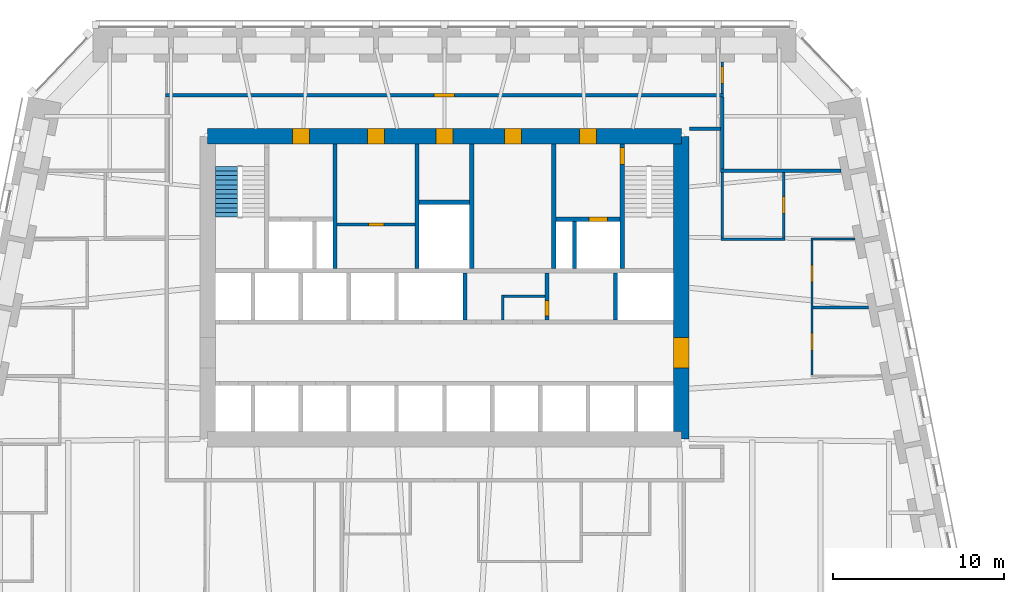
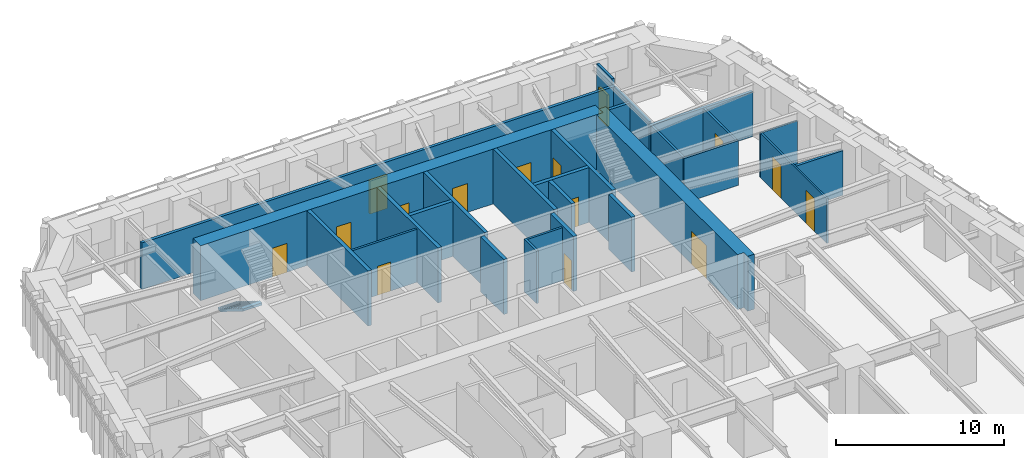
# One storey, part 13 of 16: 27 walls, 15 doors, 1 stair flight, 15 openings, 1 element without a shape of its own.
"""IFC4 building model written with IfcOpenShell, lengths in metres."""

from ifc_helpers import new_model, si_unit, direction, frame, frame_2d, origin, place, context, subcontext, project, spatial, polyline, rectangle, outline, extrude, material, layer, layer_set, type_object, element, fill, aggregate, save


model = new_model("IFC4")

# Units and contexts
model_context = context("Model", 3, precision=1e-05, world=origin(), true_north=direction((0.0, 1.0)))
body_context = subcontext(model_context, "Body", "Model", "MODEL_VIEW")
ifc_project = project(units=[si_unit("LENGTHUNIT", "METRE"), si_unit("AREAUNIT", "SQUARE_METRE"), si_unit("VOLUMEUNIT", "CUBIC_METRE"), si_unit("PLANEANGLEUNIT", "RADIAN"), si_unit("MASSUNIT", "GRAM", prefix="KILO")], contexts=[model_context])

# Site, building, storey
site_placement = place(None, origin())
site = spatial("IfcSite", under=ifc_project, at=site_placement, CompositionType="ELEMENT")
building_placement = place(site_placement, origin())
building = spatial("IfcBuilding", under=site, at=building_placement, Name="Isbrekke Arena Tower", CompositionType="ELEMENT")
storey_placement = place(building_placement, frame((0.0, 0.0, 52.0)))
storey = spatial("IfcBuildingStorey", under=building, at=storey_placement, Name="L10", CompositionType="ELEMENT", Elevation=52.0)

# Wall, opening, door
ifc_material_1 = material(Name="Concrete B65 (C65/80)", Category="concrete")
ifc_layer_1 = layer(ifc_material_1, 0.89990234375)
ifc_layer_set_1 = layer_set([ifc_layer_1], Name="CW2 CORE WALL 900")
wall_type_1 = type_object("IfcWallType", Name="CW2 CORE WALL 900", PredefinedType="SHEAR", material=ifc_layer_set_1)
wall_1_placement = place(storey_placement, frame((13.85009765625, 6.14990234375, 0.0), z_axis=(0.0, 0.0, 1.0), x_axis=(0.0, 1.0, 0.0)))
wall_1 = element("IfcWall", 1, at=wall_1_placement, inside=storey, type_object=wall_type_1, Name="Core wall E L10", PredefinedType="SHEAR", context=body_context, shape_type="SweptSolid", body=[
    extrude(outline(polyline([(0.0, -0.449951171875), (17.7001953125, -0.449951171875), (17.7001953125, 0.0), (17.250244140625, 0.0), (17.250244140625, 0.449951171875), (0.449951171875, 0.449951171875), (0.449951171875, 0.0), (0.0, 0.0), (0.0, -0.449951171875)])), origin(), (0.0, 0.0, 1.0), 4.0),
])
opening_1_placement = place(wall_1_placement, frame((4.14990234375, 0.0, 0.0)))
opening_1 = element("IfcOpeningElement", 2, at=opening_1_placement, cuts=wall_1, Name="Opening D1", PredefinedType="OPENING", context=body_context, shape_type="SweptSolid", body=[
    extrude(rectangle(XDim=1.800048828125, YDim=2.39990234375, at=frame_2d((0.89990234375, 1.199951171875))), frame((0.0, 0.46484375, 0.0), z_axis=(0.0, -1.0, 0.0), x_axis=(1.0, 0.0, 0.0)), (0.0, 0.0, 1.0), 0.9296875),
])
ifc_material_2 = material(Name="Steel-framed glazed fire door", Category="steel")
door_type_1 = type_object("IfcDoorType", Name="D1 CORE LOBBY DOOR 1800 x 2400", OperationType="DOUBLE_DOOR_SINGLE_SWING", PredefinedType="DOOR", material=ifc_material_2)
door_1_placement = place(opening_1_placement, origin())
door_1 = element("IfcDoor", 3, at=door_1_placement, inside=storey, type_object=door_type_1, Name="D1 lift lobby door east L10", OperationType="DOUBLE_DOOR_SINGLE_SWING", OverallHeight=2.39990234375, OverallWidth=1.800048828125, PredefinedType="DOOR", context=body_context, shape_type="SweptSolid", body=[
    extrude(rectangle(XDim=1.800048828125, YDim=2.39990234375, at=frame_2d((0.89990234375, 1.199951171875))), frame((0.0, 0.44970703125, 0.0), z_axis=(0.0, -1.0, 0.0), x_axis=(1.0, 0.0, 0.0)), (0.0, 0.0, 1.0), 0.8994140625),
])
fill(opening_1, door_1)

# Wall, openings, doors
wall_2_placement = place(storey_placement, frame((13.85009765625, 23.85009765625, 0.0), z_axis=(0.0, 0.0, 1.0), x_axis=(-1.0, 0.0, 0.0)))
wall_2 = element("IfcWall", 4, at=wall_2_placement, inside=storey, type_object=wall_type_1, Name="Core wall N L10", PredefinedType="SHEAR", context=body_context, shape_type="SweptSolid", body=[
    extrude(rectangle(XDim=27.7001953125, YDim=0.89990234375, at=frame_2d((13.85009765625, 0.0))), origin(), (0.0, 0.0, 1.0), 4.0),
])
opening_2_placement = place(wall_2_placement, frame((21.75, 0.0, 0.0)))
opening_2 = element("IfcOpeningElement", 5, at=opening_2_placement, cuts=wall_2, Name="Opening D3", PredefinedType="OPENING", context=body_context, shape_type="SweptSolid", body=[
    extrude(rectangle(XDim=1.0, YDim=2.10009765625, at=frame_2d((0.5, 1.050048828125))), frame((0.0, 0.46484375, 0.0), z_axis=(0.0, -1.0, 0.0), x_axis=(1.0, 0.0, 0.0)), (0.0, 0.0, 1.0), 0.9296875),
])
opening_3_placement = place(wall_2_placement, frame((4.949951171875, 0.0, 0.0)))
opening_3 = element("IfcOpeningElement", 6, at=opening_3_placement, cuts=wall_2, Name="Opening D3", PredefinedType="OPENING", context=body_context, shape_type="SweptSolid", body=[
    extrude(rectangle(XDim=1.0, YDim=2.10009765625, at=frame_2d((0.5, 1.050048828125))), frame((0.0, 0.46484375, 0.0), z_axis=(0.0, -1.0, 0.0), x_axis=(1.0, 0.0, 0.0)), (0.0, 0.0, 1.0), 0.9296875),
])
opening_4_placement = place(wall_2_placement, frame((17.35009765625, 0.0, 0.0)))
opening_4 = element("IfcOpeningElement", 7, at=opening_4_placement, cuts=wall_2, Name="Opening D4", PredefinedType="OPENING", context=body_context, shape_type="SweptSolid", body=[
    extrude(rectangle(XDim=1.0, YDim=2.10009765625, at=frame_2d((0.5, 1.050048828125))), frame((0.0, 0.46484375, 0.0), z_axis=(0.0, -1.0, 0.0), x_axis=(1.0, 0.0, 0.0)), (0.0, 0.0, 1.0), 0.9296875),
])
opening_5_placement = place(wall_2_placement, frame((13.35009765625, 0.0, 0.0)))
opening_5 = element("IfcOpeningElement", 8, at=opening_5_placement, cuts=wall_2, Name="Opening D4", PredefinedType="OPENING", context=body_context, shape_type="SweptSolid", body=[
    extrude(rectangle(XDim=1.0, YDim=2.10009765625, at=frame_2d((0.5, 1.050048828125))), frame((0.0, 0.46484375, 0.0), z_axis=(0.0, -1.0, 0.0), x_axis=(1.0, 0.0, 0.0)), (0.0, 0.0, 1.0), 0.9296875),
])
opening_6_placement = place(wall_2_placement, frame((9.35009765625, 0.0, 0.0)))
opening_6 = element("IfcOpeningElement", 9, at=opening_6_placement, cuts=wall_2, Name="Opening D4", PredefinedType="OPENING", context=body_context, shape_type="SweptSolid", body=[
    extrude(rectangle(XDim=1.0, YDim=2.10009765625, at=frame_2d((0.5, 1.050048828125))), frame((0.0, 0.46484375, 0.0), z_axis=(0.0, -1.0, 0.0), x_axis=(1.0, 0.0, 0.0)), (0.0, 0.0, 1.0), 0.9296875),
])
ifc_material_3 = material(Name="Steel fire door", Category="steel")
door_type_2 = type_object("IfcDoorType", Name="D3 FIRE LOBBY DOOR 1000 x 2100", OperationType="SINGLE_SWING_RIGHT", PredefinedType="DOOR", material=ifc_material_3)
door_2_placement = place(opening_2_placement, origin())
door_2 = element("IfcDoor", 10, at=door_2_placement, inside=storey, type_object=door_type_2, Name="D3 fire-fighting lobby door L10", OperationType="SINGLE_SWING_RIGHT", OverallHeight=2.10009765625, OverallWidth=1.0, PredefinedType="DOOR", context=body_context, shape_type="SweptSolid", body=[
    extrude(rectangle(XDim=1.0, YDim=2.10009765625, at=frame_2d((0.5, 1.050048828125))), frame((0.0, 0.44970703125, 0.0), z_axis=(0.0, -1.0, 0.0), x_axis=(1.0, 0.0, 0.0)), (0.0, 0.0, 1.0), 0.8994140625),
])
fill(opening_2, door_2)
door_3_placement = place(opening_3_placement, origin())
door_3 = element("IfcDoor", 11, at=door_3_placement, inside=storey, type_object=door_type_2, Name="D3 fire-fighting lobby door L10", OperationType="SINGLE_SWING_RIGHT", OverallHeight=2.10009765625, OverallWidth=1.0, PredefinedType="DOOR", context=body_context, shape_type="SweptSolid", body=[
    extrude(rectangle(XDim=1.0, YDim=2.10009765625, at=frame_2d((0.5, 1.050048828125))), frame((0.0, 0.44970703125, 0.0), z_axis=(0.0, -1.0, 0.0), x_axis=(1.0, 0.0, 0.0)), (0.0, 0.0, 1.0), 0.8994140625),
])
fill(opening_3, door_3)
ifc_material_4 = material(Name="Timber door", Category="wood")
door_type_3 = type_object("IfcDoorType", Name="D4 WC DOOR 1000 x 2100", OperationType="SINGLE_SWING_LEFT", PredefinedType="DOOR", material=ifc_material_4)
door_4_placement = place(opening_4_placement, origin())
door_4 = element("IfcDoor", 12, at=door_4_placement, inside=storey, type_object=door_type_3, Name="D4 wc female door L10", OperationType="SINGLE_SWING_LEFT", OverallHeight=2.10009765625, OverallWidth=1.0, PredefinedType="DOOR", context=body_context, shape_type="SweptSolid", body=[
    extrude(rectangle(XDim=1.0, YDim=2.10009765625, at=frame_2d((0.5, 1.050048828125))), frame((0.0, 0.44970703125, 0.0), z_axis=(0.0, -1.0, 0.0), x_axis=(1.0, 0.0, 0.0)), (0.0, 0.0, 1.0), 0.8994140625),
])
fill(opening_4, door_4)
door_5_placement = place(opening_5_placement, origin())
door_5 = element("IfcDoor", 13, at=door_5_placement, inside=storey, type_object=door_type_3, Name="D4 accessible wc door L10", OperationType="SINGLE_SWING_LEFT", OverallHeight=2.10009765625, OverallWidth=1.0, PredefinedType="DOOR", context=body_context, shape_type="SweptSolid", body=[
    extrude(rectangle(XDim=1.0, YDim=2.10009765625, at=frame_2d((0.5, 1.050048828125))), frame((0.0, 0.44970703125, 0.0), z_axis=(0.0, -1.0, 0.0), x_axis=(1.0, 0.0, 0.0)), (0.0, 0.0, 1.0), 0.8994140625),
])
fill(opening_5, door_5)
door_6_placement = place(opening_6_placement, origin())
door_6 = element("IfcDoor", 14, at=door_6_placement, inside=storey, type_object=door_type_3, Name="D4 wc male door L10", OperationType="SINGLE_SWING_LEFT", OverallHeight=2.10009765625, OverallWidth=1.0, PredefinedType="DOOR", context=body_context, shape_type="SweptSolid", body=[
    extrude(rectangle(XDim=1.0, YDim=2.10009765625, at=frame_2d((0.5, 1.050048828125))), frame((0.0, 0.44970703125, 0.0), z_axis=(0.0, -1.0, 0.0), x_axis=(1.0, 0.0, 0.0)), (0.0, 0.0, 1.0), 0.8994140625),
])
fill(opening_6, door_6)

# Wall
ifc_material_5 = material(Name="Concrete B45 (C45/55)", Category="concrete")
ifc_layer_2 = layer(ifc_material_5, 0.25)
ifc_layer_set_2 = layer_set([ifc_layer_2], Name="CW6 SHAFT WALL 250")
wall_type_2 = type_object("IfcWallType", Name="CW6 SHAFT WALL 250", PredefinedType="SHEAR", material=ifc_layer_set_2)
wall_3_placement = place(storey_placement, frame((1.199951171875, 13.125, 0.0), z_axis=(0.0, 0.0, 1.0), x_axis=(0.0, 1.0, 0.0)))
element("IfcWall", 15, at=wall_3_placement, inside=storey, type_object=wall_type_2, Name="Core wall SN05 L10", PredefinedType="SHEAR", context=body_context, shape_type="SweptSolid", body=[
    extrude(rectangle(XDim=2.75, YDim=0.25, at=frame_2d((1.375, 0.0))), origin(), (0.0, 0.0, 1.0), 4.0),
])

# Wall, opening, door
wall_4_placement = place(storey_placement, frame((6.0, 13.125, 0.0), z_axis=(0.0, 0.0, 1.0), x_axis=(0.0, 1.0, 0.0)))
wall_4 = element("IfcWall", 16, at=wall_4_placement, inside=storey, type_object=wall_type_2, Name="Core wall SN06 L10", PredefinedType="SHEAR", context=body_context, shape_type="SweptSolid", body=[
    extrude(rectangle(XDim=2.75, YDim=0.25, at=frame_2d((1.375, 0.0))), origin(), (0.0, 0.0, 1.0), 4.0),
])
opening_7_placement = place(wall_4_placement, frame((0.22509765625, 0.0, 0.0)))
opening_7 = element("IfcOpeningElement", 17, at=opening_7_placement, cuts=wall_4, Name="Opening D5", PredefinedType="OPENING", context=body_context, shape_type="SweptSolid", body=[
    extrude(rectangle(XDim=0.89990234375, YDim=2.10009765625, at=frame_2d((0.449951171875, 1.050048828125))), frame((0.0, 0.139892578125, 0.0), z_axis=(0.0, -1.0, 0.0), x_axis=(1.0, 0.0, 0.0)), (0.0, 0.0, 1.0), 0.27978515625),
])
ifc_material_6 = material(Name="Steel fire door", Category="steel")
door_type_4 = type_object("IfcDoorType", Name="D5 SERVICE DOOR 900 x 2100", OperationType="SINGLE_SWING_LEFT", PredefinedType="DOOR", material=ifc_material_6)
door_7_placement = place(opening_7_placement, frame((0.89990234375, 0.0, 0.0), z_axis=(0.0, 0.0, 1.0), x_axis=(-1.0, 0.0, 0.0)))
door_7 = element("IfcDoor", 18, at=door_7_placement, inside=storey, type_object=door_type_4, Name="D5 store door L10", OperationType="SINGLE_SWING_LEFT", OverallHeight=2.10009765625, OverallWidth=0.89990234375, PredefinedType="DOOR", context=body_context, shape_type="SweptSolid", body=[
    extrude(rectangle(XDim=0.89990234375, YDim=2.10009765625, at=frame_2d((0.449951171875, 1.050048828125))), frame((0.0, 0.124755859375, 0.0), z_axis=(0.0, -1.0, 0.0), x_axis=(1.0, 0.0, 0.0)), (0.0, 0.0, 1.0), 0.24951171875),
])
fill(opening_7, door_7)

# Walls
wall_5_placement = place(storey_placement, frame((10.0, 13.125, 0.0), z_axis=(0.0, 0.0, 1.0), x_axis=(0.0, 1.0, 0.0)))
element("IfcWall", 19, at=wall_5_placement, inside=storey, type_object=wall_type_2, Name="Core wall SN07 L10", PredefinedType="SHEAR", context=body_context, shape_type="SweptSolid", body=[
    extrude(rectangle(XDim=2.75, YDim=0.25, at=frame_2d((1.375, 0.0))), origin(), (0.0, 0.0, 1.0), 4.0),
])
for number, where, z_axis, x_axis, name in (
    (20, (-6.39990234375, 16.125, 0.0), (0.0, 0.0, 1.0), (0.0, 1.0, 0.0), "Core wall NV02 L10"),
    (21, (-1.60009765625, 16.125, 0.0), (0.0, 0.0, 1.0), (0.0, 1.0, 0.0), "Core wall NV03 L10"),
    (22, (1.60009765625, 16.125, 0.0), (0.0, 0.0, 1.0), (0.0, 1.0, 0.0), "Core wall NV04 L10"),
    (23, (6.39990234375, 16.125, 0.0), (0.0, 0.0, 1.0), (0.0, 1.0, 0.0), "Core wall NV05 L10"),
):
    element("IfcWall", number, at=place(storey_placement, frame(where, z_axis=z_axis, x_axis=x_axis)), inside=storey, type_object=wall_type_2, Name=name, PredefinedType="SHEAR", context=body_context, shape_type="SweptSolid", body=[
        extrude(rectangle(XDim=7.27490234375, YDim=0.25, at=frame_2d((3.637451171875, 0.0))), origin(), (0.0, 0.0, 1.0), 4.0),
    ])

# Wall, opening, door
wall_6_placement = place(storey_placement, frame((10.39990234375, 16.125, 0.0), z_axis=(0.0, 0.0, 1.0), x_axis=(0.0, 1.0, 0.0)))
wall_6 = element("IfcWall", 24, at=wall_6_placement, inside=storey, type_object=wall_type_2, Name="Core wall NV06 L10", PredefinedType="SHEAR", context=body_context, shape_type="SweptSolid", body=[
    extrude(rectangle(XDim=7.27490234375, YDim=0.25, at=frame_2d((3.637451171875, 0.0))), origin(), (0.0, 0.0, 1.0), 4.0),
])
opening_8_placement = place(wall_6_placement, frame((6.074951171875, 0.0, 0.0)))
opening_8 = element("IfcOpeningElement", 25, at=opening_8_placement, cuts=wall_6, Name="Opening D2", PredefinedType="OPENING", context=body_context, shape_type="SweptSolid", body=[
    extrude(rectangle(XDim=1.0, YDim=2.10009765625, at=frame_2d((0.5, 1.050048828125))), frame((0.0, 0.139892578125, 0.0), z_axis=(0.0, -1.0, 0.0), x_axis=(1.0, 0.0, 0.0)), (0.0, 0.0, 1.0), 0.27978515625),
])
ifc_material_7 = material(Name="Steel fire door", Category="steel")
door_type_5 = type_object("IfcDoorType", Name="D2 STAIR DOOR 1000 x 2100", OperationType="SINGLE_SWING_LEFT", PredefinedType="DOOR", material=ifc_material_7)
door_8_placement = place(opening_8_placement, origin())
door_8 = element("IfcDoor", 26, at=door_8_placement, inside=storey, type_object=door_type_5, Name="D2 stair door ST2 L10", OperationType="SINGLE_SWING_LEFT", OverallHeight=2.10009765625, OverallWidth=1.0, PredefinedType="DOOR", context=body_context, shape_type="SweptSolid", body=[
    extrude(rectangle(XDim=1.0, YDim=2.10009765625, at=frame_2d((0.5, 1.050048828125))), frame((0.0, 0.124755859375, 0.0), z_axis=(0.0, -1.0, 0.0), x_axis=(1.0, 0.0, 0.0)), (0.0, 0.0, 1.0), 0.24951171875),
])
fill(opening_8, door_8)

wall_7_placement = place(storey_placement, frame((6.52490234375, 19.0, 0.0), z_axis=(0.0, 0.0, 1.0), x_axis=(1.0, 0.0, 0.0)))
wall_7 = element("IfcWall", 27, at=wall_7_placement, inside=storey, type_object=wall_type_2, Name="Core wall NFE L10", PredefinedType="SHEAR", context=body_context, shape_type="SweptSolid", body=[
    extrude(rectangle(XDim=3.75, YDim=0.25, at=frame_2d((1.875, 0.0))), origin(), (0.0, 0.0, 1.0), 4.0),
])
opening_9_placement = place(wall_7_placement, frame((1.925048828125, 0.0, 0.0)))
opening_9 = element("IfcOpeningElement", 28, at=opening_9_placement, cuts=wall_7, Name="Opening LD2", PredefinedType="OPENING", context=body_context, shape_type="SweptSolid", body=[
    extrude(rectangle(XDim=1.10009765625, YDim=2.10009765625, at=frame_2d((0.550048828125, 1.050048828125))), frame((0.0, 0.139892578125, 0.0), z_axis=(0.0, -1.0, 0.0), x_axis=(1.0, 0.0, 0.0)), (0.0, 0.0, 1.0), 0.27978515625),
])
ifc_material_8 = material(Name="Stainless steel lift landing door", Category="steel")
door_type_6 = type_object("IfcDoorType", Name="LD2 FIRE-FIGHTING LIFT LANDING DOOR 1100 x 2100", OperationType="SLIDING_TO_RIGHT", PredefinedType="DOOR", material=ifc_material_8)
door_9_placement = place(opening_9_placement, origin())
door_9 = element("IfcDoor", 29, at=door_9_placement, inside=storey, type_object=door_type_6, Name="LD2 lift landing door LF L10", OperationType="SLIDING_TO_RIGHT", OverallHeight=2.10009765625, OverallWidth=1.10009765625, PredefinedType="DOOR", context=body_context, shape_type="SweptSolid", body=[
    extrude(rectangle(XDim=1.10009765625, YDim=2.10009765625, at=frame_2d((0.550048828125, 1.050048828125))), frame((0.0, 0.124755859375, 0.0), z_axis=(0.0, -1.0, 0.0), x_axis=(1.0, 0.0, 0.0)), (0.0, 0.0, 1.0), 0.24951171875),
])
fill(opening_9, door_9)

# Walls
wall_8_placement = place(storey_placement, frame((7.60009765625, 16.125, 0.0), z_axis=(0.0, 0.0, 1.0), x_axis=(0.0, 1.0, 0.0)))
element("IfcWall", 30, at=wall_8_placement, inside=storey, type_object=wall_type_2, Name="Core wall NFS2 L10", PredefinedType="SHEAR", context=body_context, shape_type="SweptSolid", body=[
    extrude(rectangle(XDim=2.75, YDim=0.25, at=frame_2d((1.375, 0.0))), origin(), (0.0, 0.0, 1.0), 4.0),
])
wall_9_placement = place(storey_placement, frame((-1.47509765625, 20.0, 0.0), z_axis=(0.0, 0.0, 1.0), x_axis=(1.0, 0.0, 0.0)))
element("IfcWall", 31, at=wall_9_placement, inside=storey, type_object=wall_type_2, Name="Core wall NWC L10", PredefinedType="SHEAR", context=body_context, shape_type="SweptSolid", body=[
    extrude(rectangle(XDim=2.9501953125, YDim=0.25, at=frame_2d((1.47509765625, 0.0))), origin(), (0.0, 0.0, 1.0), 4.0),
])
ifc_material_9 = material(Name="Gypsum board partition on steel studs", Category="steel")
ifc_layer_3 = layer(ifc_material_9, 0.14990234375)
ifc_layer_set_3 = layer_set([ifc_layer_3], Name="IW1 PARTITION 150")
wall_type_3 = type_object("IfcWallType", Name="IW1 PARTITION 150", PredefinedType="PARTITIONING", material=ifc_layer_set_3)
wall_10_placement = place(storey_placement, frame((16.175048828125, 17.840087890625, 0.0), z_axis=(0.0, 0.0, 1.0), x_axis=(1.0, 0.0, 0.0)))
element("IfcWall", 32, at=wall_10_placement, inside=storey, type_object=wall_type_3, Name="IW1 partition 150 L10", PredefinedType="PARTITIONING", context=body_context, shape_type="SweptSolid", body=[
    extrude(rectangle(XDim=3.75, YDim=0.14990234375, at=frame_2d((1.875, 0.0))), origin(), (0.0, 0.0, 1.0), 3.25),
])
wall_11_placement = place(storey_placement, frame((16.25, 17.9150390625, 0.0), z_axis=(0.0, 0.0, 1.0), x_axis=(0.0, 1.0, 0.0)))
element("IfcWall", 33, at=wall_11_placement, inside=storey, type_object=wall_type_3, Name="IW1 partition 150 L10", PredefinedType="PARTITIONING", context=body_context, shape_type="SweptSolid", body=[
    extrude(rectangle(XDim=3.824951171875, YDim=0.14990234375, at=frame_2d((1.91259765625, 0.0))), origin(), (0.0, 0.0, 1.0), 3.25),
])

# Wall, opening, door
wall_12_placement = place(storey_placement, frame((16.25, 26.35009765625, 0.0), z_axis=(0.0, 0.0, 1.0), x_axis=(0.0, 1.0, 0.0)))
wall_12 = element("IfcWall", 34, at=wall_12_placement, inside=storey, type_object=wall_type_3, Name="IW1 partition 150 L10", PredefinedType="PARTITIONING", context=body_context, shape_type="SweptSolid", body=[
    extrude(rectangle(XDim=1.849853515625, YDim=0.14990234375, at=frame_2d((0.9248046875, 0.0))), origin(), (0.0, 0.0, 1.0), 3.85009765625),
])
opening_10_placement = place(wall_12_placement, frame((0.60009765625, 0.0, 0.0)))
opening_10 = element("IfcOpeningElement", 35, at=opening_10_placement, cuts=wall_12, Name="Opening D10", PredefinedType="OPENING", context=body_context, shape_type="SweptSolid", body=[
    extrude(rectangle(XDim=1.0, YDim=2.300048828125, at=frame_2d((0.5, 1.14990234375))), frame((0.0, 0.08984375, 0.0), z_axis=(0.0, -1.0, 0.0), x_axis=(1.0, 0.0, 0.0)), (0.0, 0.0, 1.0), 0.1796875),
])
ifc_material_10 = material(Name="Timber door", Category="wood")
door_type_7 = type_object("IfcDoorType", Name="D10 OFFICE DOOR 1000 x 2300", OperationType="SINGLE_SWING_LEFT", PredefinedType="DOOR", material=ifc_material_10)
door_10_placement = place(opening_10_placement, origin())
door_10 = element("IfcDoor", 36, at=door_10_placement, inside=storey, type_object=door_type_7, Name="D10 tea point door L10", OperationType="SINGLE_SWING_LEFT", OverallHeight=2.300048828125, OverallWidth=1.0, PredefinedType="DOOR", context=body_context, shape_type="SweptSolid", body=[
    extrude(rectangle(XDim=1.0, YDim=2.300048828125, at=frame_2d((0.5, 1.14990234375))), frame((0.0, 0.07470703125, 0.0), z_axis=(0.0, -1.0, 0.0), x_axis=(1.0, 0.0, 0.0)), (0.0, 0.0, 1.0), 0.1494140625),
])
fill(opening_10, door_10)

wall_13_placement = place(storey_placement, frame((19.85009765625, 17.9150390625, 0.0), z_axis=(0.0, 0.0, 1.0), x_axis=(0.0, 1.0, 0.0)))
wall_13 = element("IfcWall", 37, at=wall_13_placement, inside=storey, type_object=wall_type_3, Name="IW1 partition 150 L10", PredefinedType="PARTITIONING", context=body_context, shape_type="SweptSolid", body=[
    extrude(rectangle(XDim=3.824951171875, YDim=0.14990234375, at=frame_2d((1.91259765625, 0.0))), origin(), (0.0, 0.0, 1.0), 3.25),
])
opening_11_placement = place(wall_13_placement, frame((1.425048828125, 0.0, 0.0)))
opening_11 = element("IfcOpeningElement", 38, at=opening_11_placement, cuts=wall_13, Name="Opening D10", PredefinedType="OPENING", context=body_context, shape_type="SweptSolid", body=[
    extrude(rectangle(XDim=1.0, YDim=2.300048828125, at=frame_2d((0.5, 1.14990234375))), frame((0.0, 0.08984375, 0.0), z_axis=(0.0, -1.0, 0.0), x_axis=(1.0, 0.0, 0.0)), (0.0, 0.0, 1.0), 0.1796875),
])
door_11_placement = place(opening_11_placement, origin())
door_11 = element("IfcDoor", 39, at=door_11_placement, inside=storey, type_object=door_type_7, Name="D10 pantry door L10", OperationType="SINGLE_SWING_LEFT", OverallHeight=2.300048828125, OverallWidth=1.0, PredefinedType="DOOR", context=body_context, shape_type="SweptSolid", body=[
    extrude(rectangle(XDim=1.0, YDim=2.300048828125, at=frame_2d((0.5, 1.14990234375))), frame((0.0, 0.07470703125, 0.0), z_axis=(0.0, -1.0, 0.0), x_axis=(1.0, 0.0, 0.0)), (0.0, 0.0, 1.0), 0.1494140625),
])
fill(opening_11, door_11)

# Wall
ifc_material_11 = material(Name="Frameless glazed partition, laminated acoustic glass", Category="glass")
ifc_layer_4 = layer(ifc_material_11, 0.1201171875)
ifc_layer_set_4 = layer_set([ifc_layer_4], Name="IW2 GLAZED PARTITION 120")
wall_type_4 = type_object("IfcWallType", Name="IW2 GLAZED PARTITION 120", PredefinedType="PARTITIONING", material=ifc_layer_set_4)
wall_14_placement = place(storey_placement, frame((21.43994140625, 17.840087890625, 0.0), z_axis=(0.0, 0.0, 1.0), x_axis=(1.0, 0.0, 0.0)))
element("IfcWall", 40, at=wall_14_placement, inside=storey, type_object=wall_type_4, Name="IW2 glazed partition 120 L10", PredefinedType="PARTITIONING", context=body_context, shape_type="SweptSolid", body=[
    extrude(rectangle(XDim=2.556396484375, YDim=0.1201171875, at=frame_2d((1.2783203125, 0.0))), origin(), (0.0, 0.0, 1.0), 3.25),
])

# Wall, openings, doors
wall_15_placement = place(storey_placement, frame((21.5, 9.89990234375, 0.0), z_axis=(0.0, 0.0, 1.0), x_axis=(0.0, 1.0, 0.0)))
wall_15 = element("IfcWall", 41, at=wall_15_placement, inside=storey, type_object=wall_type_4, Name="IW2 glazed partition 120 L10", PredefinedType="PARTITIONING", context=body_context, shape_type="SweptSolid", body=[
    extrude(rectangle(XDim=7.880126953125, YDim=0.1201171875, at=frame_2d((3.93994140625, 0.0))), origin(), (0.0, 0.0, 1.0), 3.25),
])
opening_12_placement = place(wall_15_placement, frame((1.43994140625, 0.0, 0.0)))
opening_12 = element("IfcOpeningElement", 42, at=opening_12_placement, cuts=wall_15, Name="Opening D11", PredefinedType="OPENING", context=body_context, shape_type="SweptSolid", body=[
    extrude(rectangle(XDim=1.0, YDim=2.39990234375, at=frame_2d((0.5, 1.199951171875))), frame((0.0, 0.074951171875, 0.0), z_axis=(0.0, -1.0, 0.0), x_axis=(1.0, 0.0, 0.0)), (0.0, 0.0, 1.0), 0.14990234375),
])
opening_13_placement = place(wall_15_placement, frame((5.43994140625, 0.0, 0.0)))
opening_13 = element("IfcOpeningElement", 43, at=opening_13_placement, cuts=wall_15, Name="Opening D11", PredefinedType="OPENING", context=body_context, shape_type="SweptSolid", body=[
    extrude(rectangle(XDim=1.0, YDim=2.39990234375, at=frame_2d((0.5, 1.199951171875))), frame((0.0, 0.074951171875, 0.0), z_axis=(0.0, -1.0, 0.0), x_axis=(1.0, 0.0, 0.0)), (0.0, 0.0, 1.0), 0.14990234375),
])
ifc_material_12 = material(Name="Frameless glazed door", Category="glass")
door_type_8 = type_object("IfcDoorType", Name="D11 GLAZED MEETING ROOM DOOR 1000 x 2400", OperationType="SINGLE_SWING_RIGHT", PredefinedType="DOOR", material=ifc_material_12)
door_12_placement = place(opening_12_placement, origin())
door_12 = element("IfcDoor", 44, at=door_12_placement, inside=storey, type_object=door_type_8, Name="D11 meeting room door L10", OperationType="SINGLE_SWING_RIGHT", OverallHeight=2.39990234375, OverallWidth=1.0, PredefinedType="DOOR", context=body_context, shape_type="SweptSolid", body=[
    extrude(rectangle(XDim=1.0, YDim=2.39990234375, at=frame_2d((0.5, 1.199951171875))), frame((0.0, 0.059814453125, 0.0), z_axis=(0.0, -1.0, 0.0), x_axis=(1.0, 0.0, 0.0)), (0.0, 0.0, 1.0), 0.11962890625),
])
fill(opening_12, door_12)
door_13_placement = place(opening_13_placement, origin())
door_13 = element("IfcDoor", 45, at=door_13_placement, inside=storey, type_object=door_type_8, Name="D11 meeting room door L10", OperationType="SINGLE_SWING_RIGHT", OverallHeight=2.39990234375, OverallWidth=1.0, PredefinedType="DOOR", context=body_context, shape_type="SweptSolid", body=[
    extrude(rectangle(XDim=1.0, YDim=2.39990234375, at=frame_2d((0.5, 1.199951171875))), frame((0.0, 0.059814453125, 0.0), z_axis=(0.0, -1.0, 0.0), x_axis=(1.0, 0.0, 0.0)), (0.0, 0.0, 1.0), 0.11962890625),
])
fill(opening_13, door_13)

# Walls
ifc_material_13 = material(Name="Gypsum board fire-cell wall on steel studs, two layers each side", Category="steel")
ifc_layer_5 = layer(ifc_material_13, 0.199951171875)
ifc_layer_set_5 = layer_set([ifc_layer_5], Name="IW3 FIRE-CELL WALL 200")
wall_type_5 = type_object("IfcWallType", Name="IW3 FIRE-CELL WALL 200", PredefinedType="PARTITIONING", material=ifc_layer_set_5)
wall_16_placement = place(storey_placement, frame((16.14990234375, 21.840087890625, 0.0), z_axis=(0.0, 0.0, 1.0), x_axis=(1.0, 0.0, 0.0)))
element("IfcWall", 46, at=wall_16_placement, inside=storey, type_object=wall_type_5, Name="IW3 fire-cell wall 200 L10", PredefinedType="PARTITIONING", context=body_context, shape_type="SweptSolid", body=[
    extrude(rectangle(XDim=7.04638671875, YDim=0.199951171875, at=frame_2d((3.523193359375, 0.0))), origin(), (0.0, 0.0, 1.0), 3.25),
])
wall_17_placement = place(storey_placement, frame((14.330078125, 24.300048828125, 0.0), z_axis=(0.0, 0.0, 1.0), x_axis=(1.0, 0.0, 0.0)))
element("IfcWall", 47, at=wall_17_placement, inside=storey, type_object=wall_type_5, Name="IW3 fire-cell wall 200 L10", PredefinedType="PARTITIONING", context=body_context, shape_type="SweptSolid", body=[
    extrude(rectangle(XDim=1.81982421875, YDim=0.199951171875, at=frame_2d((0.909912109375, 0.0))), origin(), (0.0, 0.0, 1.0), 3.39990234375),
])

# Wall, opening, door
wall_18_placement = place(storey_placement, frame((-16.31005859375, 26.25, 0.0), z_axis=(0.0, 0.0, 1.0), x_axis=(1.0, 0.0, 0.0)))
wall_18 = element("IfcWall", 48, at=wall_18_placement, inside=storey, type_object=wall_type_5, Name="IW3 fire-cell wall 200 L10", PredefinedType="PARTITIONING", context=body_context, shape_type="SweptSolid", body=[
    extrude(rectangle(XDim=32.635009765625, YDim=0.199951171875, at=frame_2d((16.3173828125, 0.0))), origin(), (0.0, 0.0, 1.0), 3.39990234375),
])
opening_14_placement = place(wall_18_placement, frame((15.7099609375, 0.0, 0.0)))
opening_14 = element("IfcOpeningElement", 49, at=opening_14_placement, cuts=wall_18, Name="Opening D12", PredefinedType="OPENING", context=body_context, shape_type="SweptSolid", body=[
    extrude(rectangle(XDim=1.199951171875, YDim=2.39990234375, at=frame_2d((0.60009765625, 1.199951171875))), frame((0.0, 0.11474609375, 0.0), z_axis=(0.0, -1.0, 0.0), x_axis=(1.0, 0.0, 0.0)), (0.0, 0.0, 1.0), 0.229736328125),
])
ifc_material_14 = material(Name="Timber fire door with vision panel", Category="wood")
door_type_9 = type_object("IfcDoorType", Name="D12 SUITE ENTRANCE DOOR 1200 x 2400", OperationType="SINGLE_SWING_LEFT", PredefinedType="DOOR", material=ifc_material_14)
door_14_placement = place(opening_14_placement, origin())
door_14 = element("IfcDoor", 50, at=door_14_placement, inside=storey, type_object=door_type_9, Name="D12 suite entrance N door L10", OperationType="SINGLE_SWING_LEFT", OverallHeight=2.39990234375, OverallWidth=1.199951171875, PredefinedType="DOOR", context=body_context, shape_type="SweptSolid", body=[
    extrude(rectangle(XDim=1.199951171875, YDim=2.39990234375, at=frame_2d((0.60009765625, 1.199951171875))), frame((0.0, 0.099609375, 0.0), z_axis=(0.0, -1.0, 0.0), x_axis=(1.0, 0.0, 0.0)), (0.0, 0.0, 1.0), 0.199462890625),
])
fill(opening_14, door_14)

# Walls
wall_19_placement = place(storey_placement, frame((16.25, 21.93994140625, 0.0), z_axis=(0.0, 0.0, 1.0), x_axis=(0.0, 1.0, 0.0)))
element("IfcWall", 51, at=wall_19_placement, inside=storey, type_object=wall_type_5, Name="IW3 fire-cell wall 200 L10", PredefinedType="PARTITIONING", context=body_context, shape_type="SweptSolid", body=[
    extrude(rectangle(XDim=4.2099609375, YDim=0.199951171875, at=frame_2d((2.10498046875, 0.0))), origin(), (0.0, 0.0, 1.0), 3.39990234375),
])
ifc_material_15 = material(Name="Gypsum board acoustic partition on twin steel studs", Category="steel")
ifc_layer_6 = layer(ifc_material_15, 0.175048828125)
ifc_layer_set_6 = layer_set([ifc_layer_6], Name="IW4 ACOUSTIC PARTITION 175")
wall_type_6 = type_object("IfcWallType", Name="IW4 ACOUSTIC PARTITION 175", PredefinedType="PARTITIONING", material=ifc_layer_set_6)
wall_20_placement = place(storey_placement, frame((21.56005859375, 13.840087890625, 0.0), z_axis=(0.0, 0.0, 1.0), x_axis=(1.0, 0.0, 0.0)))
element("IfcWall", 52, at=wall_20_placement, inside=storey, type_object=wall_type_6, Name="IW4 acoustic partition 175 L10", PredefinedType="PARTITIONING", context=body_context, shape_type="SweptSolid", body=[
    extrude(rectangle(XDim=3.236328125, YDim=0.175048828125, at=frame_2d((1.6181640625, 0.0))), origin(), (0.0, 0.0, 1.0), 3.25),
])

# Wall, opening, door
ifc_material_16 = material(Name="Gypsum board fire-rated partition on steel studs, two layers each side", Category="steel")
ifc_layer_7 = layer(ifc_material_16, 0.14990234375)
ifc_layer_set_7 = layer_set([ifc_layer_7], Name="IW5 FIRE-RATED PARTITION 150")
wall_type_7 = type_object("IfcWallType", Name="IW5 FIRE-RATED PARTITION 150", PredefinedType="PARTITIONING", material=ifc_layer_set_7)
wall_21_placement = place(storey_placement, frame((-6.27490234375, 18.699951171875, 0.0), z_axis=(0.0, 0.0, 1.0), x_axis=(1.0, 0.0, 0.0)))
wall_21 = element("IfcWall", 53, at=wall_21_placement, inside=storey, type_object=wall_type_7, Name="IW5 fire-rated partition L10 cleaner's store F", PredefinedType="PARTITIONING", context=body_context, shape_type="SweptSolid", body=[
    extrude(rectangle(XDim=4.5498046875, YDim=0.14990234375, at=frame_2d((2.27490234375, 0.0))), origin(), (0.0, 0.0, 1.0), 3.85009765625),
])
opening_15_placement = place(wall_21_placement, frame((1.824951171875, 0.0, 0.0)))
opening_15 = element("IfcOpeningElement", 54, at=opening_15_placement, cuts=wall_21, Name="Opening D5", PredefinedType="OPENING", context=body_context, shape_type="SweptSolid", body=[
    extrude(rectangle(XDim=0.89990234375, YDim=2.10009765625, at=frame_2d((0.449951171875, 1.050048828125))), frame((0.0, 0.08984375, 0.0), z_axis=(0.0, -1.0, 0.0), x_axis=(1.0, 0.0, 0.0)), (0.0, 0.0, 1.0), 0.1796875),
])
door_15_placement = place(opening_15_placement, origin())
door_15 = element("IfcDoor", 55, at=door_15_placement, inside=storey, type_object=door_type_4, Name="D5 cleaner's store door L10", OperationType="SINGLE_SWING_LEFT", OverallHeight=2.10009765625, OverallWidth=0.89990234375, PredefinedType="DOOR", context=body_context, shape_type="SweptSolid", body=[
    extrude(rectangle(XDim=0.89990234375, YDim=2.10009765625, at=frame_2d((0.449951171875, 1.050048828125))), frame((0.0, 0.07470703125, 0.0), z_axis=(0.0, -1.0, 0.0), x_axis=(1.0, 0.0, 0.0)), (0.0, 0.0, 1.0), 0.1494140625),
])
fill(opening_15, door_15)

# Walls
wall_22_placement = place(storey_placement, frame((3.39990234375, 13.125, 0.0), z_axis=(0.0, 0.0, 1.0), x_axis=(0.0, 1.0, 0.0)))
element("IfcWall", 56, at=wall_22_placement, inside=storey, type_object=wall_type_7, Name="IW5 fire-rated partition L10 core service rooms 1", PredefinedType="PARTITIONING", context=body_context, shape_type="SweptSolid", body=[
    extrude(rectangle(XDim=1.449951171875, YDim=0.14990234375, at=frame_2d((0.72509765625, 0.0))), origin(), (0.0, 0.0, 1.0), 3.85009765625),
])
wall_23_placement = place(storey_placement, frame((3.47509765625, 14.5, 0.0), z_axis=(0.0, 0.0, 1.0), x_axis=(1.0, 0.0, 0.0)))
element("IfcWall", 57, at=wall_23_placement, inside=storey, type_object=wall_type_7, Name="IW5 fire-rated partition L10 core service rooms 2", PredefinedType="PARTITIONING", context=body_context, shape_type="SweptSolid", body=[
    extrude(rectangle(XDim=2.39990234375, YDim=0.14990234375, at=frame_2d((1.199951171875, 0.0))), origin(), (0.0, 0.0, 1.0), 3.85009765625),
])

# Stair, stair flight
ifc_material_17 = material(Name="Concrete B45 (C45/55) precast", Category="concrete")
stair_type = type_object("IfcStairType", Name="ST40 STAIR 1300 WIDE, 24 RISERS 167", PredefinedType="HALF_TURN_STAIR", material=ifc_material_17)
stair_placement = place(storey_placement, origin())
stair = element("IfcStair", 58, at=stair_placement, inside=storey, type_object=stair_type, Name="ST1 stair L10", PredefinedType="HALF_TURN_STAIR")
ifc_material_18 = material(Name="Concrete B45 (C45/55) precast", Category="concrete")
stair_flight_type = type_object("IfcStairFlightType", Name="SF 1300 FLIGHT", PredefinedType="STRAIGHT", material=ifc_material_18)
stair_flight_placement = place(storey_placement, frame((-12.75, 22.10009765625, 0.0), z_axis=(0.0, 0.0, 1.0), x_axis=(0.0, -1.0, 0.0)))
stair_flight = element("IfcStairFlight", 59, at=stair_flight_placement, type_object=stair_flight_type, Name="ST1 flight 1", NumberOfRisers=12, NumberOfTreads=11, PredefinedType="STRAIGHT", RiserHeight=0.166666667, TreadLength=0.27, context=body_context, shape_type="SweptSolid", body=[
    extrude(outline(polyline([(0.0, 0.0), (0.0, 0.166748046875), (0.27001953125, 0.166748046875), (0.27001953125, 0.333251953125), (0.5400390625, 0.333251953125), (0.5400390625, 0.5), (0.81005859375, 0.5), (0.81005859375, 0.666748046875), (1.080078125, 0.666748046875), (1.080078125, 0.833251953125), (1.35009765625, 0.833251953125), (1.35009765625, 1.0), (1.6201171875, 1.0), (1.6201171875, 1.166748046875), (1.889892578125, 1.166748046875), (1.889892578125, 1.333251953125), (2.159912109375, 1.333251953125), (2.159912109375, 1.5), (2.429931640625, 1.5), (2.429931640625, 1.666748046875), (2.699951171875, 1.666748046875), (2.699951171875, 1.833251953125), (2.969970703125, 1.833251953125), (2.969970703125, 2.0), (2.969970703125, 1.6572265625), (0.285400390625, 0.0), (0.0, 0.0)])), frame((0.0, 0.64990234375, 0.0), z_axis=(0.0, -1.0, 0.0), x_axis=(1.0, 0.0, 0.0)), (0.0, 0.0, 1.0), 1.300048828125),
])
aggregate(stair, [stair_flight])

save(model, "model.ifc")
